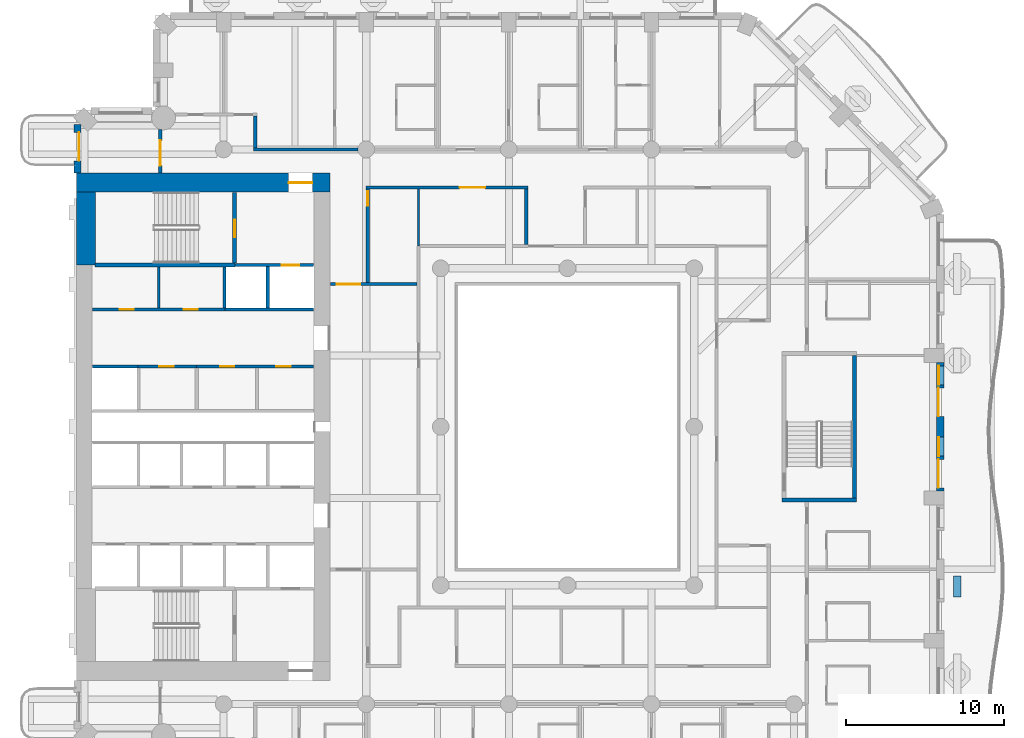
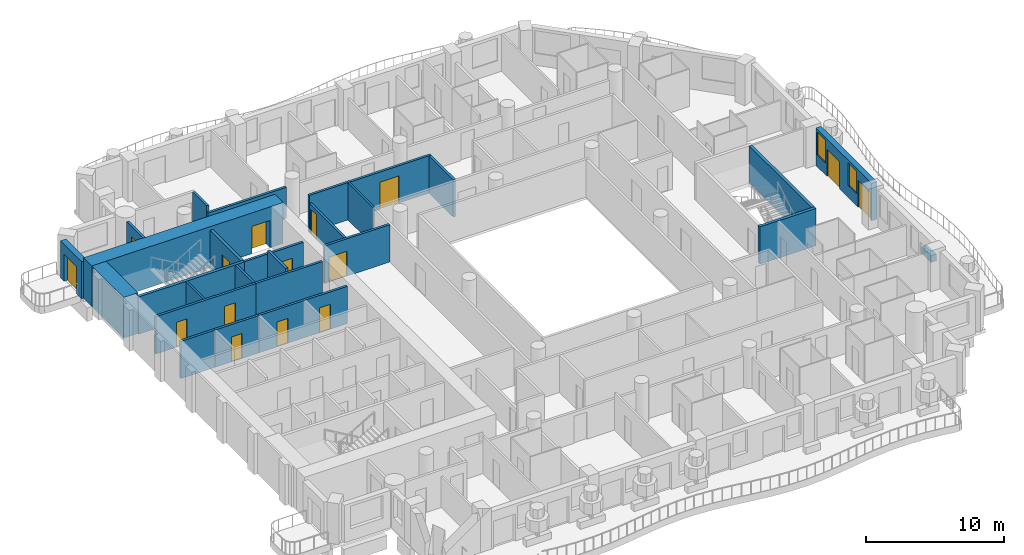
# One storey, part 7 of 20: 26 walls, 15 doors, 2 windows, 17 openings.
"""IFC4 building model written with IfcOpenShell, lengths in metres."""

from ifc_helpers import new_model, si_unit, direction, frame, frame_2d, origin, place, context, subcontext, project, spatial, rectangle, extrude, material, layer, layer_set, type_object, element, fill, save


model = new_model("IFC4")

# Units and contexts
model_context = context("Model", 3, precision=1e-05, world=origin(), true_north=direction((0.0, 1.0)))
body_context = subcontext(model_context, "Body", "Model", "MODEL_VIEW")
ifc_project = project(units=[si_unit("LENGTHUNIT", "METRE"), si_unit("AREAUNIT", "SQUARE_METRE"), si_unit("VOLUMEUNIT", "CUBIC_METRE"), si_unit("PLANEANGLEUNIT", "RADIAN"), si_unit("MASSUNIT", "GRAM", prefix="KILO")], contexts=[model_context])

# Site, building, storey
site_placement = place(None, origin())
site = spatial("IfcSite", under=ifc_project, at=site_placement, CompositionType="ELEMENT")
building_placement = place(site_placement, origin())
building = spatial("IfcBuilding", under=site, at=building_placement, Name="Cypress Arch Tower", CompositionType="ELEMENT")
storey_placement = place(building_placement, frame((0.0, 0.0, 131.10009765625)))
storey = spatial("IfcBuildingStorey", under=building, at=storey_placement, Name="L28", CompositionType="ELEMENT", Elevation=131.10009765625)

# Wall
ifc_material_1 = material(Name="Concrete C40/50, waterproofed", Category="concrete")
ifc_layer_1 = layer(ifc_material_1, 0.449951171875)
ifc_layer_set_1 = layer_set([ifc_layer_1], Name="Balcony planter wall PW450")
wall_type_1 = type_object("IfcWallType", Name="Balcony planter wall PW450", PredefinedType="SOLIDWALL", material=ifc_layer_set_1)
wall_1_placement = place(storey_placement, frame((25.60009765625, -10.75, 0.0), z_axis=(0.0, 0.0, 1.0), x_axis=(0.0, 1.0, 0.0)))
element("IfcWall", 1, at=wall_1_placement, inside=storey, type_object=wall_type_1, Name="Balcony planter wall L28-A06.2", PredefinedType="SOLIDWALL", context=body_context, shape_type="SweptSolid", body=[
    extrude(rectangle(XDim=1.32861328125, YDim=0.449951171875, at=frame_2d((0.664306640625, 0.0))), origin(), (0.0, 0.0, 1.0), 0.599853515625),
])

# Wall, opening, door
ifc_material_2 = material(Name="Brick (red buff blend)", Category="masonry")
ifc_layer_2 = layer(ifc_material_2, 0.449951171875)
ifc_layer_set_2 = layer_set([ifc_layer_2], Name="Brick pier and spandrel wall BW450")
wall_type_2 = type_object("IfcWallType", Name="Brick pier and spandrel wall BW450", PredefinedType="SOLIDWALL", material=ifc_layer_set_2)
wall_2_placement = place(storey_placement, frame((-29.925048828125, 19.063720703125, 0.0), z_axis=(0.0, 0.0, 1.0), x_axis=(0.0, -1.0, 0.0)))
wall_2 = element("IfcWall", 2, at=wall_2_placement, inside=storey, type_object=wall_type_2, Name="Brick wall L28 A00.0", PredefinedType="SOLIDWALL", context=body_context, shape_type="SweptSolid", body=[
    extrude(rectangle(XDim=3.063720703125, YDim=0.449951171875, at=frame_2d((1.53173828125, 0.0))), origin(), (0.0, 0.0, 1.0), 3.2998046875),
])
opening_1_placement = place(wall_2_placement, frame((0.481689453125, 0.0, 0.0)))
opening_1 = element("IfcOpeningElement", 3, at=opening_1_placement, cuts=wall_2, Name="Opening D-L28-A00.0.1", PredefinedType="OPENING", context=body_context, shape_type="SweptSolid", body=[
    extrude(rectangle(XDim=1.800048828125, YDim=2.39990234375, at=frame_2d((0.89990234375, 1.199951171875))), frame((0.0, 0.23486328125, 0.0), z_axis=(0.0, -1.0, 0.0), x_axis=(1.0, 0.0, 0.0)), (0.0, 0.0, 1.0), 0.469970703125),
])
ifc_material_3 = material(Name="Anodised aluminium, bronze finish, laminated low-emissivity double glazing, large-missile impact rated", Category="aluminium")
door_type_1 = type_object("IfcDoorType", Name="Balcony sliding door 1800x2400", OperationType="SLIDING_TO_LEFT", PredefinedType="DOOR", material=ifc_material_3)
door_1_placement = place(opening_1_placement, origin())
door_1 = element("IfcDoor", 4, at=door_1_placement, inside=storey, type_object=door_type_1, Name="Balcony door L28 A00.0.1", OperationType="SLIDING_TO_LEFT", OverallHeight=2.39990234375, OverallWidth=1.800048828125, PredefinedType="DOOR", context=body_context, shape_type="SweptSolid", body=[
    extrude(rectangle(XDim=1.800048828125, YDim=2.39990234375, at=frame_2d((0.89990234375, 1.199951171875))), frame((0.0, 0.1298828125, 0.0), z_axis=(0.0, -1.0, 0.0), x_axis=(1.0, 0.0, 0.0)), (0.0, 0.0, 1.0), 0.050048828125),
])
fill(opening_1, door_1)

# Wall, openings, doors, windows
wall_3_placement = place(storey_placement, frame((24.52490234375, -4.050048828125, 0.0), z_axis=(0.0, 0.0, 1.0), x_axis=(0.0, 1.0, 0.0)))
wall_3 = element("IfcWall", 5, at=wall_3_placement, inside=storey, type_object=wall_type_2, Name="Brick wall L28 A06.2", PredefinedType="SOLIDWALL", context=body_context, shape_type="SweptSolid", body=[
    extrude(rectangle(XDim=8.10009765625, YDim=0.449951171875, at=frame_2d((4.050048828125, 0.0))), origin(), (0.0, 0.0, 1.0), 3.2998046875),
])
opening_2_placement = place(wall_3_placement, frame((0.199951171875, 0.0, 0.0)))
opening_2 = element("IfcOpeningElement", 6, at=opening_2_placement, cuts=wall_3, Name="Opening D-L28-A06.2.1", PredefinedType="OPENING", context=body_context, shape_type="SweptSolid", body=[
    extrude(rectangle(XDim=1.800048828125, YDim=2.39990234375, at=frame_2d((0.89990234375, 1.199951171875))), frame((0.0, 0.23486328125, 0.0), z_axis=(0.0, -1.0, 0.0), x_axis=(1.0, 0.0, 0.0)), (0.0, 0.0, 1.0), 0.469970703125),
])
opening_3_placement = place(wall_3_placement, frame((2.199951171875, 0.0, 1.050048828125)))
opening_3 = element("IfcOpeningElement", 7, at=opening_3_placement, cuts=wall_3, Name="Opening W120HD", PredefinedType="OPENING", context=body_context, shape_type="SweptSolid", body=[
    extrude(rectangle(XDim=1.199951171875, YDim=2.0, at=frame_2d((0.60009765625, 1.0))), frame((0.0, 0.23486328125, 0.0), z_axis=(0.0, -1.0, 0.0), x_axis=(1.0, 0.0, 0.0)), (0.0, 0.0, 1.0), 0.469970703125),
])
opening_4_placement = place(wall_3_placement, frame((4.699951171875, 0.0, 0.0)))
opening_4 = element("IfcOpeningElement", 8, at=opening_4_placement, cuts=wall_3, Name="Opening D-L28-A06.2.2", PredefinedType="OPENING", context=body_context, shape_type="SweptSolid", body=[
    extrude(rectangle(XDim=1.800048828125, YDim=2.39990234375, at=frame_2d((0.89990234375, 1.199951171875))), frame((0.0, 0.23486328125, 0.0), z_axis=(0.0, -1.0, 0.0), x_axis=(1.0, 0.0, 0.0)), (0.0, 0.0, 1.0), 0.469970703125),
])
opening_5_placement = place(wall_3_placement, frame((6.699951171875, 0.0, 1.050048828125)))
opening_5 = element("IfcOpeningElement", 9, at=opening_5_placement, cuts=wall_3, Name="Opening W120HD", PredefinedType="OPENING", context=body_context, shape_type="SweptSolid", body=[
    extrude(rectangle(XDim=1.199951171875, YDim=2.0, at=frame_2d((0.60009765625, 1.0))), frame((0.0, 0.23486328125, 0.0), z_axis=(0.0, -1.0, 0.0), x_axis=(1.0, 0.0, 0.0)), (0.0, 0.0, 1.0), 0.469970703125),
])
door_2_placement = place(opening_2_placement, origin())
door_2 = element("IfcDoor", 10, at=door_2_placement, inside=storey, type_object=door_type_1, Name="Balcony door L28 A06.2.1", OperationType="SLIDING_TO_LEFT", OverallHeight=2.39990234375, OverallWidth=1.800048828125, PredefinedType="DOOR", context=body_context, shape_type="SweptSolid", body=[
    extrude(rectangle(XDim=1.800048828125, YDim=2.39990234375, at=frame_2d((0.89990234375, 1.199951171875))), frame((0.0, 0.1298828125, 0.0), z_axis=(0.0, -1.0, 0.0), x_axis=(1.0, 0.0, 0.0)), (0.0, 0.0, 1.0), 0.050048828125),
])
fill(opening_2, door_2)
door_3_placement = place(opening_4_placement, origin())
door_3 = element("IfcDoor", 11, at=door_3_placement, inside=storey, type_object=door_type_1, Name="Balcony door L28 A06.2.2", OperationType="SLIDING_TO_LEFT", OverallHeight=2.39990234375, OverallWidth=1.800048828125, PredefinedType="DOOR", context=body_context, shape_type="SweptSolid", body=[
    extrude(rectangle(XDim=1.800048828125, YDim=2.39990234375, at=frame_2d((0.89990234375, 1.199951171875))), frame((0.0, 0.1298828125, 0.0), z_axis=(0.0, -1.0, 0.0), x_axis=(1.0, 0.0, 0.0)), (0.0, 0.0, 1.0), 0.050048828125),
])
fill(opening_4, door_3)
ifc_material_4 = material(Name="Anodised aluminium, bronze finish, laminated low-emissivity double glazing, large-missile impact rated", Category="aluminium")
window_type = type_object("IfcWindowType", Name="Window Hotel 1200x2000 debris-rated", PartitioningType="SINGLE_PANEL", PredefinedType="WINDOW", material=ifc_material_4)
window_1_placement = place(opening_3_placement, origin())
window_1 = element("IfcWindow", 12, at=window_1_placement, inside=storey, type_object=window_type, Name="Window L28 A06.2.1", OverallHeight=2.0, OverallWidth=1.199951171875, PartitioningType="SINGLE_PANEL", PredefinedType="WINDOW", context=body_context, shape_type="SweptSolid", body=[
    extrude(rectangle(XDim=1.199951171875, YDim=2.0, at=frame_2d((0.60009765625, 1.0))), frame((0.0, 0.135009765625, 0.0), z_axis=(0.0, -1.0, 0.0), x_axis=(1.0, 0.0, 0.0)), (0.0, 0.0, 1.0), 0.06005859375),
])
fill(opening_3, window_1)
window_2_placement = place(opening_5_placement, origin())
window_2 = element("IfcWindow", 13, at=window_2_placement, inside=storey, type_object=window_type, Name="Window L28 A06.2.2", OverallHeight=2.0, OverallWidth=1.199951171875, PartitioningType="SINGLE_PANEL", PredefinedType="WINDOW", context=body_context, shape_type="SweptSolid", body=[
    extrude(rectangle(XDim=1.199951171875, YDim=2.0, at=frame_2d((0.60009765625, 1.0))), frame((0.0, 0.135009765625, 0.0), z_axis=(0.0, -1.0, 0.0), x_axis=(1.0, 0.0, 0.0)), (0.0, 0.0, 1.0), 0.06005859375),
])
fill(opening_5, window_2)

# Wall, opening, door
ifc_material_5 = material(Name="Concrete C80/95", Category="concrete")
ifc_layer_3 = layer(ifc_material_5, 1.199951171875)
ifc_layer_set_3 = layer_set([ifc_layer_3], Name="Core wall CW1200 C80/95")
wall_type_3 = type_object("IfcWallType", Name="Core wall CW1200 C80/95", PredefinedType="SHEAR", material=ifc_layer_set_3)
wall_4_placement = place(storey_placement, frame((-30.0, 15.39990234375, 0.0), z_axis=(0.0, 0.0, 1.0), x_axis=(1.0, 0.0, 0.0)))
wall_4 = element("IfcWall", 14, at=wall_4_placement, inside=storey, type_object=wall_type_3, Name="Core wall", PredefinedType="SHEAR", context=body_context, shape_type="SweptSolid", body=[
    extrude(rectangle(XDim=16.0, YDim=1.199951171875, at=frame_2d((8.0, 0.0))), origin(), (0.0, 0.0, 1.0), 3.599853515625),
])
opening_6_placement = place(wall_4_placement, frame((13.39990234375, 0.0, 0.0)))
opening_6 = element("IfcOpeningElement", 15, at=opening_6_placement, cuts=wall_4, Name="Opening D07", PredefinedType="OPENING", context=body_context, shape_type="SweptSolid", body=[
    extrude(rectangle(XDim=1.5, YDim=2.39990234375, at=frame_2d((0.75, 1.199951171875))), frame((0.0, 0.60986328125, 0.0), z_axis=(0.0, -1.0, 0.0), x_axis=(1.0, 0.0, 0.0)), (0.0, 0.0, 1.0), 1.219970703125),
])
ifc_material_6 = material(Name="Steel framed glazed door, fire resisting", Category="steel")
door_type_2 = type_object("IfcDoorType", Name="Lobby door D07 1500x2400", OperationType="DOUBLE_DOOR_SINGLE_SWING", PredefinedType="DOOR", material=ifc_material_6)
door_4_placement = place(opening_6_placement, origin())
door_4 = element("IfcDoor", 16, at=door_4_placement, inside=storey, type_object=door_type_2, Name="Lobby door", OperationType="DOUBLE_DOOR_SINGLE_SWING", OverallHeight=2.39990234375, OverallWidth=1.5, PredefinedType="DOOR", context=body_context, shape_type="SweptSolid", body=[
    extrude(rectangle(XDim=1.5, YDim=2.39990234375, at=frame_2d((0.75, 1.199951171875))), frame((0.0, 0.02490234375, 0.0), z_axis=(0.0, -1.0, 0.0), x_axis=(1.0, 0.0, 0.0)), (0.0, 0.0, 1.0), 0.050048828125),
])
fill(opening_6, door_4)

# Wall
wall_5_placement = place(storey_placement, frame((-29.39990234375, 10.199951171875, 0.0), z_axis=(0.0, 0.0, 1.0), x_axis=(0.0, 1.0, 0.0)))
element("IfcWall", 17, at=wall_5_placement, inside=storey, type_object=wall_type_3, Name="Core wall", PredefinedType="SHEAR", context=body_context, shape_type="SweptSolid", body=[
    extrude(rectangle(XDim=4.60009765625, YDim=1.199951171875, at=frame_2d((2.300048828125, 0.0))), origin(), (0.0, 0.0, 1.0), 3.599853515625),
])

# Wall, openings, doors
ifc_material_7 = material(Name="Concrete blockwork, plastered, rated", Category="masonry")
ifc_layer_4 = layer(ifc_material_7, 0.199951171875)
ifc_layer_set_4 = layer_set([ifc_layer_4], Name="Corridor wall FW200")
wall_type_4 = type_object("IfcWallType", Name="Corridor wall FW200", PredefinedType="PARTITIONING", material=ifc_layer_set_4)
wall_6_placement = place(storey_placement, frame((-28.969970703125, 7.39990234375, 0.0), z_axis=(0.0, 0.0, 1.0), x_axis=(1.0, 0.0, 0.0)))
wall_6 = element("IfcWall", 18, at=wall_6_placement, inside=storey, type_object=wall_type_4, Name="Corridor wall", PredefinedType="PARTITIONING", context=body_context, shape_type="SweptSolid", body=[
    extrude(rectangle(XDim=8.349853515625, YDim=0.199951171875, at=frame_2d((4.1748046875, 0.0))), origin(), (0.0, 0.0, 1.0), 3.2998046875),
])
opening_7_placement = place(wall_6_placement, frame((1.699951171875, 0.0, 0.0)))
opening_7 = element("IfcOpeningElement", 19, at=opening_7_placement, cuts=wall_6, Name="Opening D05", PredefinedType="OPENING", context=body_context, shape_type="SweptSolid", body=[
    extrude(rectangle(XDim=0.89990234375, YDim=2.199951171875, at=frame_2d((0.449951171875, 1.10009765625))), frame((0.0, 0.10986328125, 0.0), z_axis=(0.0, -1.0, 0.0), x_axis=(1.0, 0.0, 0.0)), (0.0, 0.0, 1.0), 0.219970703125),
])
opening_8_placement = place(wall_6_placement, frame((5.75, 0.0, 0.0)))
opening_8 = element("IfcOpeningElement", 20, at=opening_8_placement, cuts=wall_6, Name="Opening D05", PredefinedType="OPENING", context=body_context, shape_type="SweptSolid", body=[
    extrude(rectangle(XDim=0.89990234375, YDim=2.199951171875, at=frame_2d((0.449951171875, 1.10009765625))), frame((0.0, 0.10986328125, 0.0), z_axis=(0.0, -1.0, 0.0), x_axis=(1.0, 0.0, 0.0)), (0.0, 0.0, 1.0), 0.219970703125),
])
ifc_material_8 = material(Name="Timber flush door", Category="wood")
door_type_3 = type_object("IfcDoorType", Name="Service door D05 900x2200", OperationType="SINGLE_SWING_LEFT", PredefinedType="DOOR", material=ifc_material_8)
door_5_placement = place(opening_7_placement, origin())
door_5 = element("IfcDoor", 21, at=door_5_placement, inside=storey, type_object=door_type_3, Name="Service door", OperationType="SINGLE_SWING_RIGHT", OverallHeight=2.199951171875, OverallWidth=0.89990234375, PredefinedType="DOOR", context=body_context, shape_type="SweptSolid", body=[
    extrude(rectangle(XDim=0.89990234375, YDim=2.199951171875, at=frame_2d((0.449951171875, 1.10009765625))), frame((0.0, 0.02490234375, 0.0), z_axis=(0.0, -1.0, 0.0), x_axis=(1.0, 0.0, 0.0)), (0.0, 0.0, 1.0), 0.050048828125),
])
fill(opening_7, door_5)
door_6_placement = place(opening_8_placement, origin())
door_6 = element("IfcDoor", 22, at=door_6_placement, inside=storey, type_object=door_type_3, Name="Service door", OperationType="SINGLE_SWING_LEFT", OverallHeight=2.199951171875, OverallWidth=0.89990234375, PredefinedType="DOOR", context=body_context, shape_type="SweptSolid", body=[
    extrude(rectangle(XDim=0.89990234375, YDim=2.199951171875, at=frame_2d((0.449951171875, 1.10009765625))), frame((0.0, 0.02490234375, 0.0), z_axis=(0.0, -1.0, 0.0), x_axis=(1.0, 0.0, 0.0)), (0.0, 0.0, 1.0), 0.050048828125),
])
fill(opening_8, door_6)

# Wall, opening, door
wall_7_placement = place(storey_placement, frame((-26.10009765625, 3.800048828125, 0.0), z_axis=(0.0, 0.0, 1.0), x_axis=(1.0, 0.0, 0.0)))
wall_7 = element("IfcWall", 23, at=wall_7_placement, inside=storey, type_object=wall_type_4, Name="Corridor wall", PredefinedType="PARTITIONING", context=body_context, shape_type="SweptSolid", body=[
    extrude(rectangle(XDim=3.68017578125, YDim=0.199951171875, at=frame_2d((1.840087890625, 0.0))), origin(), (0.0, 0.0, 1.0), 3.2998046875),
])
opening_9_placement = place(wall_7_placement, frame((1.35009765625, 0.0, 0.0)))
opening_9 = element("IfcOpeningElement", 24, at=opening_9_placement, cuts=wall_7, Name="Opening D05", PredefinedType="OPENING", context=body_context, shape_type="SweptSolid", body=[
    extrude(rectangle(XDim=0.89990234375, YDim=2.199951171875, at=frame_2d((0.449951171875, 1.10009765625))), frame((0.0, 0.10986328125, 0.0), z_axis=(0.0, -1.0, 0.0), x_axis=(1.0, 0.0, 0.0)), (0.0, 0.0, 1.0), 0.219970703125),
])
door_7_placement = place(opening_9_placement, origin())
door_7 = element("IfcDoor", 25, at=door_7_placement, inside=storey, type_object=door_type_3, Name="Service door", OperationType="SINGLE_SWING_RIGHT", OverallHeight=2.199951171875, OverallWidth=0.89990234375, PredefinedType="DOOR", context=body_context, shape_type="SweptSolid", body=[
    extrude(rectangle(XDim=0.89990234375, YDim=2.199951171875, at=frame_2d((0.449951171875, 1.10009765625))), frame((0.0, 0.02490234375, 0.0), z_axis=(0.0, -1.0, 0.0), x_axis=(1.0, 0.0, 0.0)), (0.0, 0.0, 1.0), 0.050048828125),
])
fill(opening_9, door_7)

wall_8_placement = place(storey_placement, frame((-24.699951171875, 16.030029296875, 0.0), z_axis=(0.0, 0.0, 1.0), x_axis=(0.0, 1.0, 0.0)))
wall_8 = element("IfcWall", 26, at=wall_8_placement, inside=storey, type_object=wall_type_4, Name="Corridor wall", PredefinedType="PARTITIONING", context=body_context, shape_type="SweptSolid", body=[
    extrude(rectangle(XDim=2.72216796875, YDim=0.199951171875, at=frame_2d((1.361083984375, 0.0))), origin(), (0.0, 0.0, 1.0), 3.2998046875),
])
opening_10_placement = place(wall_8_placement, frame((0.449951171875, 0.0, 0.0)))
opening_10 = element("IfcOpeningElement", 27, at=opening_10_placement, cuts=wall_8, Name="Opening D10", PredefinedType="OPENING", context=body_context, shape_type="SweptSolid", body=[
    extrude(rectangle(XDim=1.60009765625, YDim=2.39990234375, at=frame_2d((0.800048828125, 1.199951171875))), frame((0.0, 0.10986328125, 0.0), z_axis=(0.0, -1.0, 0.0), x_axis=(1.0, 0.0, 0.0)), (0.0, 0.0, 1.0), 0.219970703125),
])
ifc_material_9 = material(Name="Black aluminium glazed door", Category="aluminium")
door_type_4 = type_object("IfcDoorType", Name="Amenity door D10 1600x2400", OperationType="DOUBLE_DOOR_SINGLE_SWING", PredefinedType="DOOR", material=ifc_material_9)
door_8_placement = place(opening_10_placement, origin())
door_8 = element("IfcDoor", 28, at=door_8_placement, inside=storey, type_object=door_type_4, Name="Amenity door", OperationType="DOUBLE_DOOR_SINGLE_SWING", OverallHeight=2.39990234375, OverallWidth=1.60009765625, PredefinedType="DOOR", context=body_context, shape_type="SweptSolid", body=[
    extrude(rectangle(XDim=1.60009765625, YDim=2.39990234375, at=frame_2d((0.800048828125, 1.199951171875))), frame((0.0, 0.02490234375, 0.0), z_axis=(0.0, -1.0, 0.0), x_axis=(1.0, 0.0, 0.0)), (0.0, 0.0, 1.0), 0.050048828125),
])
fill(opening_10, door_8)

# Walls
wall_9_placement = place(storey_placement, frame((-18.699951171875, 17.60009765625, 0.0), z_axis=(0.0, 0.0, 1.0), x_axis=(0.0, 1.0, 0.0)))
element("IfcWall", 29, at=wall_9_placement, inside=storey, type_object=wall_type_4, Name="Corridor wall", PredefinedType="PARTITIONING", context=body_context, shape_type="SweptSolid", body=[
    extrude(rectangle(XDim=2.0, YDim=0.199951171875, at=frame_2d((1.0, 0.0))), origin(), (0.0, 0.0, 1.0), 3.2998046875),
])
wall_10_placement = place(storey_placement, frame((-18.800048828125, 17.5, 0.0), z_axis=(0.0, 0.0, 1.0), x_axis=(1.0, 0.0, 0.0)))
element("IfcWall", 30, at=wall_10_placement, inside=storey, type_object=wall_type_4, Name="Corridor wall", PredefinedType="PARTITIONING", context=body_context, shape_type="SweptSolid", body=[
    extrude(rectangle(XDim=6.574951171875, YDim=0.199951171875, at=frame_2d((3.28759765625, 0.0))), origin(), (0.0, 0.0, 1.0), 2.75),
])

# Wall, opening, door
wall_11_placement = place(storey_placement, frame((-13.969970703125, 9.0, 0.0), z_axis=(0.0, 0.0, 1.0), x_axis=(1.0, 0.0, 0.0)))
wall_11 = element("IfcWall", 31, at=wall_11_placement, inside=storey, type_object=wall_type_4, Name="Corridor wall", PredefinedType="PARTITIONING", context=body_context, shape_type="SweptSolid", body=[
    extrude(rectangle(XDim=5.469970703125, YDim=0.199951171875, at=frame_2d((2.73486328125, 0.0))), origin(), (0.0, 0.0, 1.0), 3.2998046875),
])
opening_11_placement = place(wall_11_placement, frame((0.39990234375, 0.0, 0.0)))
opening_11 = element("IfcOpeningElement", 32, at=opening_11_placement, cuts=wall_11, Name="Opening D04", PredefinedType="OPENING", context=body_context, shape_type="SweptSolid", body=[
    extrude(rectangle(XDim=1.5, YDim=2.199951171875, at=frame_2d((0.75, 1.10009765625))), frame((0.0, 0.10986328125, 0.0), z_axis=(0.0, -1.0, 0.0), x_axis=(1.0, 0.0, 0.0)), (0.0, 0.0, 1.0), 0.219970703125),
])
ifc_material_10 = material(Name="Timber double door", Category="wood")
door_type_5 = type_object("IfcDoorType", Name="Double door D04 1500x2200", OperationType="DOUBLE_DOOR_SINGLE_SWING", PredefinedType="DOOR", material=ifc_material_10)
door_9_placement = place(opening_11_placement, origin())
door_9 = element("IfcDoor", 33, at=door_9_placement, inside=storey, type_object=door_type_5, Name="Double door", OperationType="DOUBLE_DOOR_SINGLE_SWING", OverallHeight=2.199951171875, OverallWidth=1.5, PredefinedType="DOOR", context=body_context, shape_type="SweptSolid", body=[
    extrude(rectangle(XDim=1.5, YDim=2.199951171875, at=frame_2d((0.75, 1.10009765625))), frame((0.0, 0.02490234375, 0.0), z_axis=(0.0, -1.0, 0.0), x_axis=(1.0, 0.0, 0.0)), (0.0, 0.0, 1.0), 0.050048828125),
])
fill(opening_11, door_9)

wall_12_placement = place(storey_placement, frame((-11.60009765625, 9.10009765625, 0.0), z_axis=(0.0, 0.0, 1.0), x_axis=(0.0, 1.0, 0.0)))
wall_12 = element("IfcWall", 34, at=wall_12_placement, inside=storey, type_object=wall_type_4, Name="Corridor wall", PredefinedType="PARTITIONING", context=body_context, shape_type="SweptSolid", body=[
    extrude(rectangle(XDim=5.89990234375, YDim=0.199951171875, at=frame_2d((2.949951171875, 0.0))), origin(), (0.0, 0.0, 1.0), 2.599853515625),
])
opening_12_placement = place(wall_12_placement, frame((4.85009765625, 0.0, 0.0)))
opening_12 = element("IfcOpeningElement", 35, at=opening_12_placement, cuts=wall_12, Name="Opening D05", PredefinedType="OPENING", context=body_context, shape_type="SweptSolid", body=[
    extrude(rectangle(XDim=0.89990234375, YDim=2.199951171875, at=frame_2d((0.449951171875, 1.10009765625))), frame((0.0, 0.10986328125, 0.0), z_axis=(0.0, -1.0, 0.0), x_axis=(1.0, 0.0, 0.0)), (0.0, 0.0, 1.0), 0.219970703125),
])
door_10_placement = place(opening_12_placement, origin())
door_10 = element("IfcDoor", 36, at=door_10_placement, inside=storey, type_object=door_type_3, Name="Service door", OperationType="SINGLE_SWING_LEFT", OverallHeight=2.199951171875, OverallWidth=0.89990234375, PredefinedType="DOOR", context=body_context, shape_type="SweptSolid", body=[
    extrude(rectangle(XDim=0.89990234375, YDim=2.199951171875, at=frame_2d((0.449951171875, 1.10009765625))), frame((0.0, 0.02490234375, 0.0), z_axis=(0.0, -1.0, 0.0), x_axis=(1.0, 0.0, 0.0)), (0.0, 0.0, 1.0), 0.050048828125),
])
fill(opening_12, door_10)

wall_13_placement = place(storey_placement, frame((-11.699951171875, 15.10009765625, 0.0), z_axis=(0.0, 0.0, 1.0), x_axis=(1.0, 0.0, 0.0)))
wall_13 = element("IfcWall", 37, at=wall_13_placement, inside=storey, type_object=wall_type_4, Name="Corridor wall", PredefinedType="PARTITIONING", context=body_context, shape_type="SweptSolid", body=[
    extrude(rectangle(XDim=10.199951171875, YDim=0.199951171875, at=frame_2d((5.10009765625, 0.0))), origin(), (0.0, 0.0, 1.0), 3.2998046875),
])
opening_13_placement = place(wall_13_placement, frame((5.89990234375, 0.0, 0.0)))
opening_13 = element("IfcOpeningElement", 38, at=opening_13_placement, cuts=wall_13, Name="Opening D10", PredefinedType="OPENING", context=body_context, shape_type="SweptSolid", body=[
    extrude(rectangle(XDim=1.60009765625, YDim=2.39990234375, at=frame_2d((0.800048828125, 1.199951171875))), frame((0.0, 0.10986328125, 0.0), z_axis=(0.0, -1.0, 0.0), x_axis=(1.0, 0.0, 0.0)), (0.0, 0.0, 1.0), 0.219970703125),
])
door_11_placement = place(opening_13_placement, origin())
door_11 = element("IfcDoor", 39, at=door_11_placement, inside=storey, type_object=door_type_4, Name="Amenity door", OperationType="DOUBLE_DOOR_SINGLE_SWING", OverallHeight=2.39990234375, OverallWidth=1.60009765625, PredefinedType="DOOR", context=body_context, shape_type="SweptSolid", body=[
    extrude(rectangle(XDim=1.60009765625, YDim=2.39990234375, at=frame_2d((0.800048828125, 1.199951171875))), frame((0.0, 0.02490234375, 0.0), z_axis=(0.0, -1.0, 0.0), x_axis=(1.0, 0.0, 0.0)), (0.0, 0.0, 1.0), 0.050048828125),
])
fill(opening_13, door_11)

# Walls
wall_14_placement = place(storey_placement, frame((-1.60009765625, 11.5, 0.0), z_axis=(0.0, 0.0, 1.0), x_axis=(0.0, 1.0, 0.0)))
element("IfcWall", 40, at=wall_14_placement, inside=storey, type_object=wall_type_4, Name="Corridor wall", PredefinedType="PARTITIONING", context=body_context, shape_type="SweptSolid", body=[
    extrude(rectangle(XDim=3.5, YDim=0.199951171875, at=frame_2d((1.75, 0.0))), origin(), (0.0, 0.0, 1.0), 3.2998046875),
])
ifc_material_11 = material(Name="Blockwork, plastered both sides", Category="masonry")
ifc_layer_5 = layer(ifc_material_11, 0.14990234375)
ifc_layer_set_5 = layer_set([ifc_layer_5], Name="Partition PW150")
wall_type_5 = type_object("IfcWallType", Name="Partition PW150", PredefinedType="PARTITIONING", material=ifc_layer_set_5)
wall_15_placement = place(storey_placement, frame((-24.800048828125, 7.5, 0.0), z_axis=(0.0, 0.0, 1.0), x_axis=(0.0, 1.0, 0.0)))
element("IfcWall", 41, at=wall_15_placement, inside=storey, type_object=wall_type_5, Name="Partition", PredefinedType="PARTITIONING", context=body_context, shape_type="SweptSolid", body=[
    extrude(rectangle(XDim=2.574951171875, YDim=0.14990234375, at=frame_2d((1.28759765625, 0.0))), origin(), (0.0, 0.0, 1.0), 3.2998046875),
])
wall_16_placement = place(storey_placement, frame((-8.39990234375, 11.39990234375, 0.0), z_axis=(0.0, 0.0, 1.0), x_axis=(0.0, 1.0, 0.0)))
element("IfcWall", 42, at=wall_16_placement, inside=storey, type_object=wall_type_5, Name="Partition", PredefinedType="PARTITIONING", context=body_context, shape_type="SweptSolid", body=[
    extrude(rectangle(XDim=3.60009765625, YDim=0.14990234375, at=frame_2d((1.800048828125, 0.0))), origin(), (0.0, 0.0, 1.0), 3.2998046875),
])

# Wall, openings, doors
ifc_material_12 = material(Name="Reinforced blockwork, plastered, rated", Category="masonry")
ifc_layer_6 = layer(ifc_material_12, 0.199951171875)
ifc_layer_set_6 = layer_set([ifc_layer_6], Name="Plant and riser wall PL200")
wall_type_6 = type_object("IfcWallType", Name="Plant and riser wall PL200", PredefinedType="PARTITIONING", material=ifc_layer_set_6)
wall_17_placement = place(storey_placement, frame((-22.419921875, 3.800048828125, 0.0), z_axis=(0.0, 0.0, 1.0), x_axis=(1.0, 0.0, 0.0)))
wall_17 = element("IfcWall", 43, at=wall_17_placement, inside=storey, type_object=wall_type_6, Name="Plant and riser wall", PredefinedType="PARTITIONING", context=body_context, shape_type="SweptSolid", body=[
    extrude(rectangle(XDim=7.389892578125, YDim=0.199951171875, at=frame_2d((3.69482421875, 0.0))), origin(), (0.0, 0.0, 1.0), 3.2998046875),
])
opening_14_placement = place(wall_17_placement, frame((1.5, 0.0, 0.0)))
opening_14 = element("IfcOpeningElement", 44, at=opening_14_placement, cuts=wall_17, Name="Opening D05", PredefinedType="OPENING", context=body_context, shape_type="SweptSolid", body=[
    extrude(rectangle(XDim=0.89990234375, YDim=2.199951171875, at=frame_2d((0.449951171875, 1.10009765625))), frame((0.0, 0.10986328125, 0.0), z_axis=(0.0, -1.0, 0.0), x_axis=(1.0, 0.0, 0.0)), (0.0, 0.0, 1.0), 0.219970703125),
])
opening_15_placement = place(wall_17_placement, frame((5.050048828125, 0.0, 0.0)))
opening_15 = element("IfcOpeningElement", 45, at=opening_15_placement, cuts=wall_17, Name="Opening D05", PredefinedType="OPENING", context=body_context, shape_type="SweptSolid", body=[
    extrude(rectangle(XDim=0.89990234375, YDim=2.199951171875, at=frame_2d((0.449951171875, 1.10009765625))), frame((0.0, 0.10986328125, 0.0), z_axis=(0.0, -1.0, 0.0), x_axis=(1.0, 0.0, 0.0)), (0.0, 0.0, 1.0), 0.219970703125),
])
door_12_placement = place(opening_14_placement, origin())
door_12 = element("IfcDoor", 46, at=door_12_placement, inside=storey, type_object=door_type_3, Name="Service door", OperationType="SINGLE_SWING_LEFT", OverallHeight=2.199951171875, OverallWidth=0.89990234375, PredefinedType="DOOR", context=body_context, shape_type="SweptSolid", body=[
    extrude(rectangle(XDim=0.89990234375, YDim=2.199951171875, at=frame_2d((0.449951171875, 1.10009765625))), frame((0.0, 0.02490234375, 0.0), z_axis=(0.0, -1.0, 0.0), x_axis=(1.0, 0.0, 0.0)), (0.0, 0.0, 1.0), 0.050048828125),
])
fill(opening_14, door_12)
door_13_placement = place(opening_15_placement, origin())
door_13 = element("IfcDoor", 47, at=door_13_placement, inside=storey, type_object=door_type_3, Name="Service door", OperationType="SINGLE_SWING_RIGHT", OverallHeight=2.199951171875, OverallWidth=0.89990234375, PredefinedType="DOOR", context=body_context, shape_type="SweptSolid", body=[
    extrude(rectangle(XDim=0.89990234375, YDim=2.199951171875, at=frame_2d((0.449951171875, 1.10009765625))), frame((0.0, 0.02490234375, 0.0), z_axis=(0.0, -1.0, 0.0), x_axis=(1.0, 0.0, 0.0)), (0.0, 0.0, 1.0), 0.050048828125),
])
fill(opening_15, door_13)

# Walls
ifc_material_13 = material(Name="Concrete C50/60", Category="concrete")
ifc_layer_7 = layer(ifc_material_13, 0.199951171875)
ifc_layer_set_7 = layer_set([ifc_layer_7], Name="Shaft wall SH200")
wall_type_7 = type_object("IfcWallType", Name="Shaft wall SH200", PredefinedType="SHEAR", material=ifc_layer_set_7)
wall_18_placement = place(storey_placement, frame((-28.969970703125, 3.800048828125, 0.0), z_axis=(0.0, 0.0, 1.0), x_axis=(1.0, 0.0, 0.0)))
element("IfcWall", 48, at=wall_18_placement, inside=storey, type_object=wall_type_7, Name="Shaft wall", PredefinedType="SHEAR", context=body_context, shape_type="SweptSolid", body=[
    extrude(rectangle(XDim=2.869873046875, YDim=0.199951171875, at=frame_2d((1.43505859375, 0.0))), origin(), (0.0, 0.0, 1.0), 3.2998046875),
])
wall_19_placement = place(storey_placement, frame((-20.639892578125, 7.5, 0.0), z_axis=(0.0, 0.0, 1.0), x_axis=(0.0, 1.0, 0.0)))
element("IfcWall", 49, at=wall_19_placement, inside=storey, type_object=wall_type_7, Name="Shaft wall", PredefinedType="SHEAR", context=body_context, shape_type="SweptSolid", body=[
    extrude(rectangle(XDim=2.574951171875, YDim=0.199951171875, at=frame_2d((1.28759765625, 0.0))), origin(), (0.0, 0.0, 1.0), 3.2998046875),
])
wall_20_placement = place(storey_placement, frame((-20.6201171875, 7.39990234375, 0.0), z_axis=(0.0, 0.0, 1.0), x_axis=(1.0, 0.0, 0.0)))
element("IfcWall", 50, at=wall_20_placement, inside=storey, type_object=wall_type_7, Name="Shaft wall", PredefinedType="SHEAR", context=body_context, shape_type="SweptSolid", body=[
    extrude(rectangle(XDim=5.590087890625, YDim=0.199951171875, at=frame_2d((2.794921875, 0.0))), origin(), (0.0, 0.0, 1.0), 3.2998046875),
])

# Wall, opening, door
wall_21_placement = place(storey_placement, frame((-19.97998046875, 10.199951171875, 0.0), z_axis=(0.0, 0.0, 1.0), x_axis=(1.0, 0.0, 0.0)))
wall_21 = element("IfcWall", 51, at=wall_21_placement, inside=storey, type_object=wall_type_7, Name="Shaft wall", PredefinedType="SHEAR", context=body_context, shape_type="SweptSolid", body=[
    extrude(rectangle(XDim=4.949951171875, YDim=0.199951171875, at=frame_2d((2.47509765625, 0.0))), origin(), (0.0, 0.0, 1.0), 3.2998046875),
])
opening_16_placement = place(wall_21_placement, frame((2.949951171875, 0.0, 0.0)))
opening_16 = element("IfcOpeningElement", 52, at=opening_16_placement, cuts=wall_21, Name="Opening LD-FL2", PredefinedType="OPENING", context=body_context, shape_type="SweptSolid", body=[
    extrude(rectangle(XDim=1.10009765625, YDim=2.199951171875, at=frame_2d((0.550048828125, 1.10009765625))), frame((0.0, 0.10986328125, 0.0), z_axis=(0.0, -1.0, 0.0), x_axis=(1.0, 0.0, 0.0)), (0.0, 0.0, 1.0), 0.219970703125),
])
ifc_material_14 = material(Name="Stainless steel centre-opening landing door, rated", Category="steel")
door_type_6 = type_object("IfcDoorType", Name="Lift landing door LD 1100x2200", OperationType="DOUBLE_DOOR_SLIDING", PredefinedType="DOOR", material=ifc_material_14)
door_14_placement = place(opening_16_placement, origin())
door_14 = element("IfcDoor", 53, at=door_14_placement, inside=storey, type_object=door_type_6, Name="Lift landing doors FL2", OperationType="DOUBLE_DOOR_SLIDING", OverallHeight=2.199951171875, OverallWidth=1.10009765625, PredefinedType="DOOR", context=body_context, shape_type="SweptSolid", body=[
    extrude(rectangle(XDim=1.10009765625, YDim=2.199951171875, at=frame_2d((0.550048828125, 1.10009765625))), frame((0.0, 0.02490234375, 0.0), z_axis=(0.0, -1.0, 0.0), x_axis=(1.0, 0.0, 0.0)), (0.0, 0.0, 1.0), 0.050048828125),
])
fill(opening_16, door_14)

# Walls
wall_22_placement = place(storey_placement, frame((-17.919921875, 7.5, 0.0), z_axis=(0.0, 0.0, 1.0), x_axis=(0.0, 1.0, 0.0)))
element("IfcWall", 54, at=wall_22_placement, inside=storey, type_object=wall_type_7, Name="Shaft wall", PredefinedType="SHEAR", context=body_context, shape_type="SweptSolid", body=[
    extrude(rectangle(XDim=2.60009765625, YDim=0.199951171875, at=frame_2d((1.300048828125, 0.0))), origin(), (0.0, 0.0, 1.0), 3.599853515625),
])
ifc_material_15 = material(Name="Concrete C50/60", Category="concrete")
ifc_layer_8 = layer(ifc_material_15, 0.25)
ifc_layer_set_8 = layer_set([ifc_layer_8], Name="Stair enclosure wall SW250")
wall_type_8 = type_object("IfcWallType", Name="Stair enclosure wall SW250", PredefinedType="SHEAR", material=ifc_layer_set_8)
wall_23_placement = place(storey_placement, frame((-28.81005859375, 10.199951171875, 0.0), z_axis=(0.0, 0.0, 1.0), x_axis=(1.0, 0.0, 0.0)))
element("IfcWall", 55, at=wall_23_placement, inside=storey, type_object=wall_type_8, Name="Stair enclosure wall", PredefinedType="SHEAR", context=body_context, shape_type="SweptSolid", body=[
    extrude(rectangle(XDim=8.830078125, YDim=0.25, at=frame_2d((4.4150390625, 0.0))), origin(), (0.0, 0.0, 1.0), 3.2998046875),
])

# Wall, opening, door
wall_24_placement = place(storey_placement, frame((-20.0, 10.324951171875, 0.0), z_axis=(0.0, 0.0, 1.0), x_axis=(0.0, 1.0, 0.0)))
wall_24 = element("IfcWall", 56, at=wall_24_placement, inside=storey, type_object=wall_type_8, Name="Stair enclosure wall", PredefinedType="SHEAR", context=body_context, shape_type="SweptSolid", body=[
    extrude(rectangle(XDim=4.445068359375, YDim=0.25, at=frame_2d((2.22265625, 0.0))), origin(), (0.0, 0.0, 1.0), 3.2998046875),
])
opening_17_placement = place(wall_24_placement, frame((1.64990234375, 0.0, 0.0)))
opening_17 = element("IfcOpeningElement", 57, at=opening_17_placement, cuts=wall_24, Name="Opening D06", PredefinedType="OPENING", context=body_context, shape_type="SweptSolid", body=[
    extrude(rectangle(XDim=1.10009765625, YDim=2.199951171875, at=frame_2d((0.550048828125, 1.10009765625))), frame((0.0, 0.135009765625, 0.0), z_axis=(0.0, -1.0, 0.0), x_axis=(1.0, 0.0, 0.0)), (0.0, 0.0, 1.0), 0.27001953125),
])
ifc_material_16 = material(Name="Steel door, fire resisting, panic bar", Category="steel")
door_type_7 = type_object("IfcDoorType", Name="Stair door D06 1100x2200", OperationType="SINGLE_SWING_LEFT", PredefinedType="DOOR", material=ifc_material_16)
door_15_placement = place(opening_17_placement, origin())
door_15 = element("IfcDoor", 58, at=door_15_placement, inside=storey, type_object=door_type_7, Name="Stair door", OperationType="SINGLE_SWING_LEFT", OverallHeight=2.199951171875, OverallWidth=1.10009765625, PredefinedType="DOOR", context=body_context, shape_type="SweptSolid", body=[
    extrude(rectangle(XDim=1.10009765625, YDim=2.199951171875, at=frame_2d((0.550048828125, 1.10009765625))), frame((0.0, 0.02490234375, 0.0), z_axis=(0.0, -1.0, 0.0), x_axis=(1.0, 0.0, 0.0)), (0.0, 0.0, 1.0), 0.050048828125),
])
fill(opening_17, door_15)

# Walls
wall_25_placement = place(storey_placement, frame((14.550048828125, -4.625, 0.0), z_axis=(0.0, 0.0, 1.0), x_axis=(1.0, 0.0, 0.0)))
element("IfcWall", 59, at=wall_25_placement, inside=storey, type_object=wall_type_8, Name="Stair enclosure wall", PredefinedType="SHEAR", context=body_context, shape_type="SweptSolid", body=[
    extrude(rectangle(XDim=4.699951171875, YDim=0.25, at=frame_2d((2.35009765625, 0.0))), origin(), (0.0, 0.0, 1.0), 3.2998046875),
])
wall_26_placement = place(storey_placement, frame((19.125, -4.5, 0.0), z_axis=(0.0, 0.0, 1.0), x_axis=(0.0, 1.0, 0.0)))
element("IfcWall", 60, at=wall_26_placement, inside=storey, type_object=wall_type_8, Name="Stair enclosure wall", PredefinedType="SHEAR", context=body_context, shape_type="SweptSolid", body=[
    extrude(rectangle(XDim=9.0, YDim=0.25, at=frame_2d((4.5, 0.0))), origin(), (0.0, 0.0, 1.0), 3.2998046875),
])

save(model, "model.ifc")
